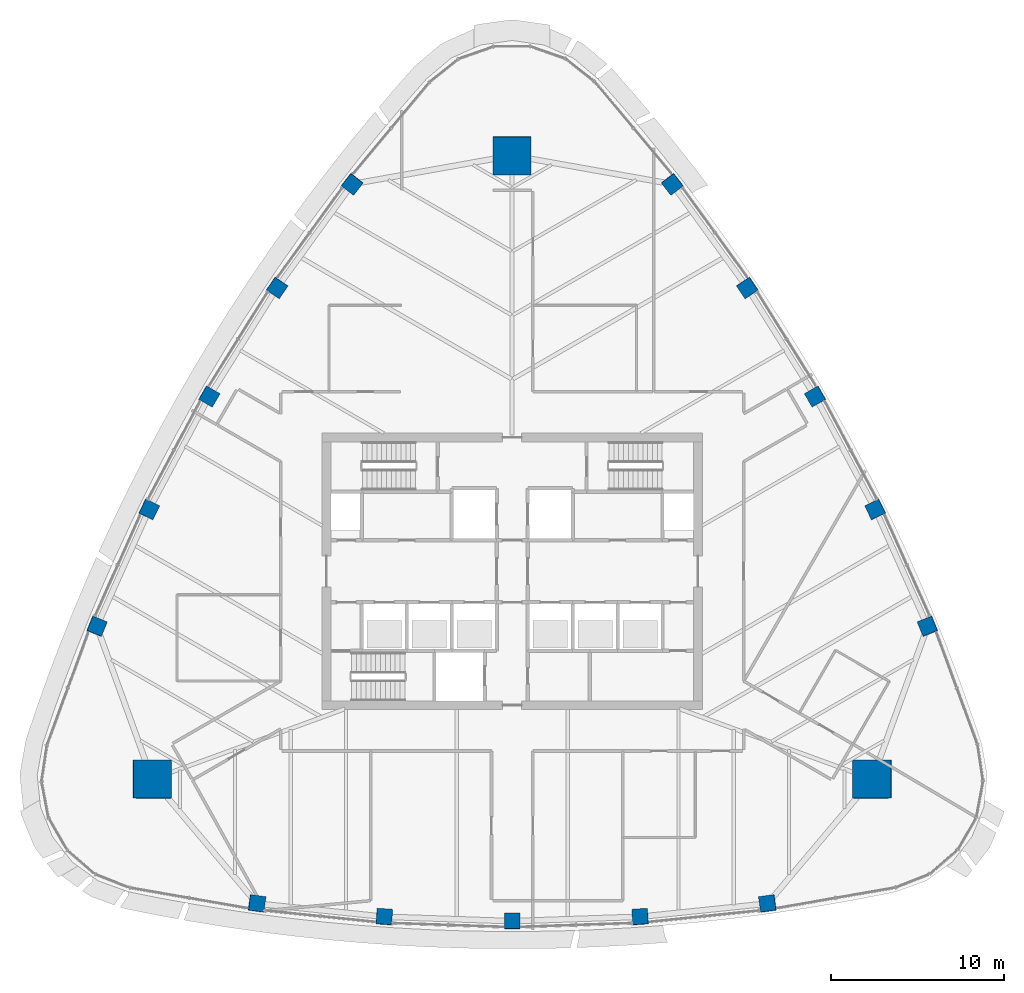
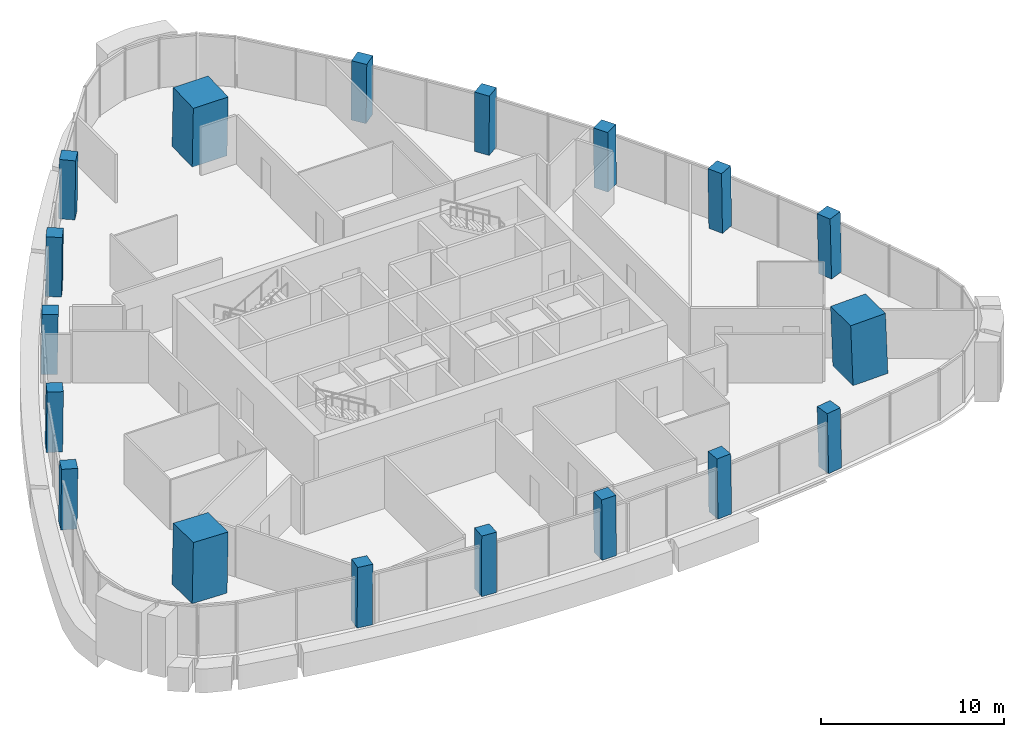
# One storey, part 1 of 15: 18 columns.
"""IFC4 building model written with IfcOpenShell, lengths in metres."""

from ifc_helpers import new_model, si_unit, direction, frame, origin, origin_2d, place, context, subcontext, project, spatial, rectangle, extrude, material, material_profile, profile_set, type_object, element, save


model = new_model("IFC4")

# Units and contexts
model_context = context("Model", 3, precision=1e-05, world=origin(), true_north=direction((0.0, 1.0)))
body_context = subcontext(model_context, "Body", "Model", "MODEL_VIEW")
ifc_project = project(units=[si_unit("LENGTHUNIT", "METRE"), si_unit("AREAUNIT", "SQUARE_METRE"), si_unit("VOLUMEUNIT", "CUBIC_METRE"), si_unit("PLANEANGLEUNIT", "RADIAN"), si_unit("MASSUNIT", "GRAM", prefix="KILO")], contexts=[model_context])

# Site, building, storey
site_placement = place(None, origin())
site = spatial("IfcSite", under=ifc_project, at=site_placement, CompositionType="ELEMENT")
building_placement = place(site_placement, origin())
building = spatial("IfcBuilding", under=site, at=building_placement, Name="Sierra Prisma Convention Tower", CompositionType="ELEMENT")
storey_placement = place(building_placement, frame((0.0, 0.0, 283.0)))
storey = spatial("IfcBuildingStorey", under=building, at=storey_placement, Name="L64", CompositionType="ELEMENT", Elevation=283.0)

# Columns
ifc_material_1 = material(Name="Concrete C50/60", Category="concrete")
ifc_material_profile_1 = material_profile(ifc_material_1, rectangle(XDim=2.199951171875, YDim=2.199951171875, at=origin_2d()), Name="Mega column RC 2200 C50/60")
ifc_profile_set_1 = profile_set([ifc_material_profile_1], Name="Concrete C50/60")
column_type_1 = type_object("IfcColumnType", Name="Mega column RC 2200 C50/60", PredefinedType="COLUMN", material=ifc_profile_set_1)
for number, where, z_axis, x_axis, name in (
    (1, (20.84423828125, -12.034423828125, 0.0), (-0.027756720281, 0.01604399436, 0.999485945236), (0.999614708015, 0.000445500311, 0.027753144871), "Mega column SE L64"),
    (2, (0.0, 24.06884765625, 0.0), (0.0, -0.032027018848, 0.999487003449), (1.0, 0.0, 0.0), "Mega column N L64"),
    (3, (-20.84423828125, -12.034423828125, 0.0), (0.027756720281, 0.01604399436, 0.999485945236), (0.999614708015, -0.000445500311, -0.027753144871), "Mega column SW L64"),
):
    element("IfcColumn", number, at=place(storey_placement, frame(where, z_axis=z_axis, x_axis=x_axis)), inside=storey, type_object=column_type_1, Name=name, PredefinedType="COLUMN", context=body_context, shape_type="SweptSolid", body=[
        extrude(rectangle(XDim=2.199951171875, YDim=2.199951171875, at=origin_2d()), origin(), (0.0, 0.0, 1.0), 4.001953125),
    ])
ifc_material_2 = material(Name="Concrete C50/60", Category="concrete")
ifc_material_profile_2 = material_profile(ifc_material_2, rectangle(XDim=0.89990234375, YDim=0.89990234375, at=origin_2d()), Name="Perimeter column RC 900 C50/60")
ifc_profile_set_2 = profile_set([ifc_material_profile_2], Name="Concrete C50/60")
column_type_2 = type_object("IfcColumnType", Name="Perimeter column RC 900 C50/60", PredefinedType="COLUMN", material=ifc_profile_set_2)
column_1_placement = place(storey_placement, frame((-14.78125, -19.23095703125, 0.0), z_axis=(0.017452445502, 0.010434853779, 0.999793241612), x_axis=(-0.990413210435, 0.137223335577, 0.015856505603)))
element("IfcColumn", 4, at=column_1_placement, inside=storey, type_object=column_type_2, Name="Perimeter column S-1 L64", PredefinedType="COLUMN", context=body_context, shape_type="SweptSolid", body=[
    extrude(rectangle(XDim=0.89990234375, YDim=0.89990234375, at=origin_2d()), origin(), (0.0, 0.0, 1.0), 4.000732421875),
])
column_2_placement = place(storey_placement, frame((-7.408203125, -19.993896484375, 0.0), z_axis=(0.008788174922, 0.01116830563, 0.999899013366), x_axis=(-0.997599705176, 0.068781048985, 0.0079997208)))
element("IfcColumn", 5, at=column_2_placement, inside=storey, type_object=column_type_2, Name="Perimeter column S-2 L64", PredefinedType="COLUMN", context=body_context, shape_type="SweptSolid", body=[
    extrude(rectangle(XDim=0.89990234375, YDim=0.89990234375, at=origin_2d()), origin(), (0.0, 0.0, 1.0), 4.00048828125),
])
column_3_placement = place(storey_placement, frame((0.0, -20.24853515625, 0.0), z_axis=(0.0, 0.01141283087, 0.999934871525), x_axis=(1.0, 0.0, 0.0)))
element("IfcColumn", 6, at=column_3_placement, inside=storey, type_object=column_type_2, Name="Perimeter column S-3 L64", PredefinedType="COLUMN", context=body_context, shape_type="SweptSolid", body=[
    extrude(rectangle(XDim=0.89990234375, YDim=0.89990234375, at=origin_2d()), origin(), (0.0, 0.0, 1.0), 4.000244140625),
])
column_4_placement = place(storey_placement, frame((7.408203125, -19.993896484375, 0.0), z_axis=(-0.008788174922, 0.01116830563, 0.999899013366), x_axis=(0.997599705176, 0.068781048985, 0.0079997208)))
element("IfcColumn", 7, at=column_4_placement, inside=storey, type_object=column_type_2, Name="Perimeter column S-4 L64", PredefinedType="COLUMN", context=body_context, shape_type="SweptSolid", body=[
    extrude(rectangle(XDim=0.89990234375, YDim=0.89990234375, at=origin_2d()), origin(), (0.0, 0.0, 1.0), 4.00048828125),
])
for number, where, z_axis, x_axis, name in (
    (8, (14.78125, -19.23095703125, 0.0), (-0.017452445502, 0.010434853779, 0.999793241612), (0.990413210435, 0.137223335577, 0.015856505603), "Perimeter column S-5 L64"),
    (9, (24.045166015625, -3.185546875, 0.0), (-0.017757551143, 0.009946669541, 0.999792845115), (-0.376533551253, 0.92626647535, -0.015902874689), "Perimeter column NE-1 L64"),
):
    element("IfcColumn", number, at=place(storey_placement, frame(where, z_axis=z_axis, x_axis=x_axis)), inside=storey, type_object=column_type_2, Name=name, PredefinedType="COLUMN", context=body_context, shape_type="SweptSolid", body=[
        extrude(rectangle(XDim=0.89990234375, YDim=0.89990234375, at=origin_2d()), origin(), (0.0, 0.0, 1.0), 4.000732421875),
    ])
column_5_placement = place(storey_placement, frame((21.019287109375, 3.581298828125, 0.0), z_axis=(-0.014036674448, 0.002013957638, 0.999899452818), x_axis=(-0.43929078876, 0.898309514635, -0.007976141077)))
element("IfcColumn", 10, at=column_5_placement, inside=storey, type_object=column_type_2, Name="Perimeter column NE-2 L64", PredefinedType="COLUMN", context=body_context, shape_type="SweptSolid", body=[
    extrude(rectangle(XDim=0.89990234375, YDim=0.89990234375, at=origin_2d()), origin(), (0.0, 0.0, 1.0), 4.00048828125),
])
column_6_placement = place(storey_placement, frame((17.535888671875, 10.124267578125, 0.0), z_axis=(-0.009948074445, -0.005736926367, 0.999934059571), x_axis=(-0.499975258342, 0.8660396879, -5.385525e-06)))
element("IfcColumn", 11, at=column_6_placement, inside=storey, type_object=column_type_2, Name="Perimeter column NE-3 L64", PredefinedType="COLUMN", context=body_context, shape_type="SweptSolid", body=[
    extrude(rectangle(XDim=0.89990234375, YDim=0.89990234375, at=origin_2d()), origin(), (0.0, 0.0, 1.0), 4.000244140625),
])
column_7_placement = place(storey_placement, frame((13.611083984375, 16.41259765625, 0.0), z_axis=(-0.005309522349, -0.013182262383, 0.999899013366), x_axis=(-0.558296289589, 0.829603333649, 0.007972567314)))
element("IfcColumn", 12, at=column_7_placement, inside=storey, type_object=column_type_2, Name="Perimeter column NE-4 L64", PredefinedType="COLUMN", context=body_context, shape_type="SweptSolid", body=[
    extrude(rectangle(XDim=0.89990234375, YDim=0.89990234375, at=origin_2d()), origin(), (0.0, 0.0, 1.0), 4.00048828125),
])
for number, where, z_axis, x_axis, name in (
    (13, (9.263916015625, 22.41650390625, 0.0), (-0.000305112753, -0.020320509381, 0.999793470575), (-0.613971118662, 0.789169291804, 0.015852265538), "Perimeter column NE-5 L64"),
    (14, (-9.263916015625, 22.41650390625, 0.0), (0.000305112753, -0.020320509381, 0.999793470575), (0.613971118662, 0.789169291804, 0.015852265538), "Perimeter column NW-1 L64"),
):
    element("IfcColumn", number, at=place(storey_placement, frame(where, z_axis=z_axis, x_axis=x_axis)), inside=storey, type_object=column_type_2, Name=name, PredefinedType="COLUMN", context=body_context, shape_type="SweptSolid", body=[
        extrude(rectangle(XDim=0.89990234375, YDim=0.89990234375, at=origin_2d()), origin(), (0.0, 0.0, 1.0), 4.000732421875),
    ])
column_8_placement = place(storey_placement, frame((-13.611083984375, 16.41259765625, 0.0), z_axis=(0.005309522349, -0.013182262383, 0.999899013366), x_axis=(0.558296289589, 0.829603333649, 0.007972567314)))
element("IfcColumn", 15, at=column_8_placement, inside=storey, type_object=column_type_2, Name="Perimeter column NW-2 L64", PredefinedType="COLUMN", context=body_context, shape_type="SweptSolid", body=[
    extrude(rectangle(XDim=0.89990234375, YDim=0.89990234375, at=origin_2d()), origin(), (0.0, 0.0, 1.0), 4.00048828125),
])
column_9_placement = place(storey_placement, frame((-17.535888671875, 10.124267578125, 0.0), z_axis=(0.009948074445, -0.005736926367, 0.999934059571), x_axis=(0.499975258342, 0.8660396879, -5.385525e-06)))
element("IfcColumn", 16, at=column_9_placement, inside=storey, type_object=column_type_2, Name="Perimeter column NW-3 L64", PredefinedType="COLUMN", context=body_context, shape_type="SweptSolid", body=[
    extrude(rectangle(XDim=0.89990234375, YDim=0.89990234375, at=origin_2d()), origin(), (0.0, 0.0, 1.0), 4.000244140625),
])
column_10_placement = place(storey_placement, frame((-21.019287109375, 3.581298828125, 0.0), z_axis=(0.014036674448, 0.002013957638, 0.999899452818), x_axis=(0.43929078876, 0.898309514635, -0.007976141077)))
element("IfcColumn", 17, at=column_10_placement, inside=storey, type_object=column_type_2, Name="Perimeter column NW-4 L64", PredefinedType="COLUMN", context=body_context, shape_type="SweptSolid", body=[
    extrude(rectangle(XDim=0.89990234375, YDim=0.89990234375, at=origin_2d()), origin(), (0.0, 0.0, 1.0), 4.00048828125),
])
column_11_placement = place(storey_placement, frame((-24.045166015625, -3.185546875, 0.0), z_axis=(0.017757551143, 0.009946669541, 0.999792845115), x_axis=(0.376533551253, 0.92626647535, -0.015902874689)))
element("IfcColumn", 18, at=column_11_placement, inside=storey, type_object=column_type_2, Name="Perimeter column NW-5 L64", PredefinedType="COLUMN", context=body_context, shape_type="SweptSolid", body=[
    extrude(rectangle(XDim=0.89990234375, YDim=0.89990234375, at=origin_2d()), origin(), (0.0, 0.0, 1.0), 4.000732421875),
])

save(model, "model.ifc")
